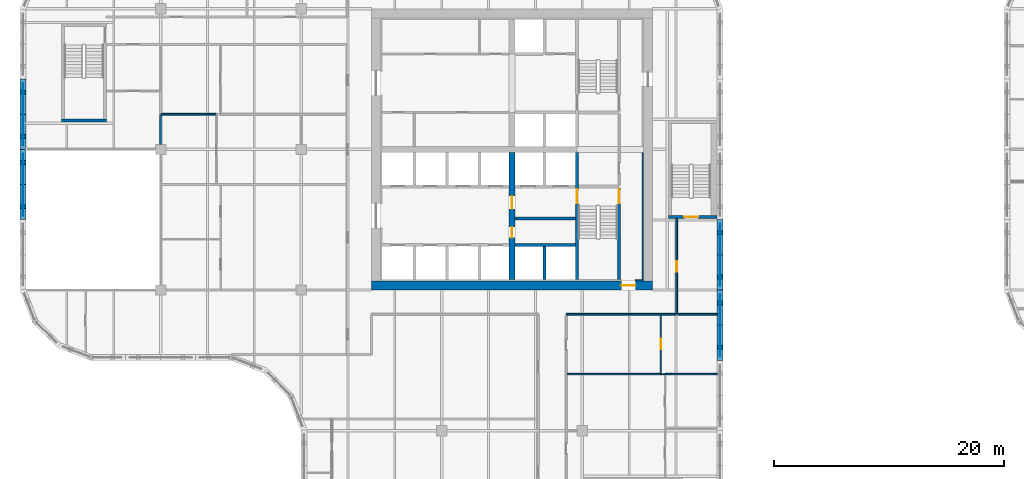
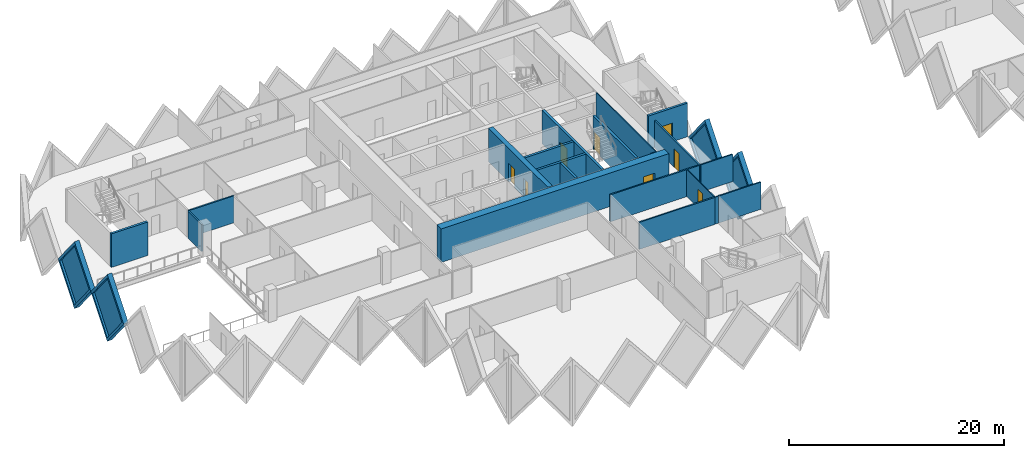
# One storey, part 7 of 19: 24 walls, 8 doors, 4 plates, 12 openings.
"""IFC4 building model written with IfcOpenShell, lengths in metres."""

import ifcopenshell
import ifcopenshell.guid

model = None  # the IFC model being written
_history = None  # IfcOwnerHistory: only IFC2X3 demands one
_inside = {}  # id of a spatial element -> (the spatial element, [elements in it])
_under = {}  # id of a project, library or spatial element -> (it, [spatial elements below it])
_declared = {}  # id of a project -> (the project, [libraries it declares])
_typed = {}  # id of a type object -> (the type object, [elements of that type])
_made_of = {}  # id of a material, layer set ... -> (it, [elements and type objects made of it])


def new_model(schema):
    """Start an empty IFC model of exactly this schema.

    Asked for "IFC4X3", IfcOpenShell would pick the latest addendum, in which some entities
    have other attributes; the version numbers below select the first issue.
    IFC2X3 requires an IfcOwnerHistory on every rooted entity: one is made here for all.
    """
    global model, _history
    if schema == "IFC4X3":
        model = ifcopenshell.file(schema_version=(4, 3, 0, 0))
    else:
        model = ifcopenshell.file(schema=schema)
    _inside.clear()
    _under.clear()
    _declared.clear()
    _typed.clear()
    _made_of.clear()
    _history = None
    if model.schema == "IFC2X3":
        org = make("IfcOrganization", Name="unknown")
        user = make(
            "IfcPersonAndOrganization",
            ThePerson=make("IfcPerson", FamilyName="unknown"),
            TheOrganization=org,
        )
        app = make(
            "IfcApplication",
            ApplicationDeveloper=org,
            Version="unknown",
            ApplicationFullName="unknown",
            ApplicationIdentifier="unknown",
        )
        _history = make(
            "IfcOwnerHistory",
            OwningUser=user,
            OwningApplication=app,
            ChangeAction="ADDED",
            CreationDate=0,
        )
    return model


def make(cls, **values):
    """One entity of the class cls with the attributes given. An attribute that is None is left unset."""
    return model.create_entity(
        cls, **{name: value for name, value in values.items() if value is not None}
    )


def rooted(cls, **values):
    """An entity with a GlobalId (a new one), such as an element, a storey or a relation."""
    return make(cls, GlobalId=ifcopenshell.guid.new(), OwnerHistory=_history, **values)


def si_unit(unit_type, name, prefix=None):
    """IfcSIUnit, for example si_unit("LENGTHUNIT", "METRE", prefix="MILLI")."""
    return make("IfcSIUnit", UnitType=unit_type, Prefix=prefix, Name=name)


def assignment(units):
    """IfcUnitAssignment: the units of a project."""
    return None if units is None else make("IfcUnitAssignment", Units=units)


def point(xyz):
    """IfcCartesianPoint."""
    return None if xyz is None else make("IfcCartesianPoint", Coordinates=xyz)


def direction(xyz):
    """IfcDirection."""
    return None if xyz is None else make("IfcDirection", DirectionRatios=xyz)


def frame(location, z_axis=None, x_axis=None):
    """IfcAxis2Placement3D, a coordinate frame: its origin and axes. An axis left out is left unset."""
    return make(
        "IfcAxis2Placement3D",
        Location=point(location),
        Axis=direction(z_axis),
        RefDirection=direction(x_axis),
    )


def frame_2d(location, x_axis=None):
    """IfcAxis2Placement2D, a coordinate frame in the plane: its origin and x axis."""
    return make(
        "IfcAxis2Placement2D", Location=point(location), RefDirection=direction(x_axis)
    )


def origin():
    """The frame at (0, 0, 0) with its axes left unset."""
    return frame((0.0, 0.0, 0.0))


def place(relative_to, where):
    """IfcLocalPlacement: puts the frame where relative to a parent placement (None: the world)."""
    return make(
        "IfcLocalPlacement", PlacementRelTo=relative_to, RelativePlacement=where
    )


def context(
    kind, dimensions, precision=None, world=None, true_north=None, identifier=None
):
    """IfcGeometricRepresentationContext, for example the 3D "Model" context."""
    return make(
        "IfcGeometricRepresentationContext",
        ContextIdentifier=identifier,
        ContextType=kind,
        CoordinateSpaceDimension=dimensions,
        Precision=precision,
        WorldCoordinateSystem=world,
        TrueNorth=true_north,
    )


def subcontext(parent, identifier, kind, view, scale=None):
    """IfcGeometricRepresentationSubContext, for example "Body" below "Model"."""
    return make(
        "IfcGeometricRepresentationSubContext",
        ContextIdentifier=identifier,
        ContextType=kind,
        ParentContext=parent,
        TargetScale=scale,
        TargetView=view,
    )


def project(units=None, contexts=None):
    """IfcProject with its units and contexts."""
    return rooted(
        "IfcProject",
        Name="project",
        RepresentationContexts=contexts,
        UnitsInContext=assignment(units),
    )


def spatial(cls, under=None, at=None, **own):
    """A site, building, storey or space (cls), placed at a placement, below another one or the project."""
    s = rooted(cls, ObjectPlacement=at, **own)
    if under is not None:
        _under.setdefault(under.id(), (under, []))[1].append(s)
    return s


def polyline(points):
    """IfcPolyline through the points."""
    return make("IfcPolyline", Points=[point(p) for p in points])


def profile(cls, at=None, kind="AREA", **sizes):
    """A parametric profile (cls). Its sizes go by their IFC names, for example OverallWidth=200.0."""
    return make(cls, ProfileType=kind, Position=at, **sizes)


def rectangle(**sizes):
    """IfcRectangleProfileDef."""
    return profile("IfcRectangleProfileDef", **sizes)


def outline(outer, holes=None, kind="AREA"):
    """IfcArbitraryClosedProfileDef: a profile drawn as a closed curve; with holes, ...WithVoids."""
    if holes is None:
        return make("IfcArbitraryClosedProfileDef", ProfileType=kind, OuterCurve=outer)
    return make(
        "IfcArbitraryProfileDefWithVoids",
        ProfileType=kind,
        OuterCurve=outer,
        InnerCurves=holes,
    )


def extrude(swept, where, along, depth):
    """IfcExtrudedAreaSolid: the profile swept, set in the frame where, extruded along a direction by depth."""
    return make(
        "IfcExtrudedAreaSolid",
        SweptArea=swept,
        Position=where,
        ExtrudedDirection=direction(along),
        Depth=depth,
    )


def faces_of(points, faces, orient=None, outer=None):
    """IfcFace entities. A face is a list of loops; a loop is a list of indices into points, from 0.

    orient and outer hold one flag for each loop. By default every Orientation is true, the
    first loop of a face is its IfcFaceOuterBound and the others are IfcFaceBound.
    """
    made = []
    for i, loops in enumerate(faces):
        bounds = []
        for j, loop in enumerate(loops):
            is_outer = j == 0 if outer is None else outer[i][j]
            bounds.append(
                make(
                    "IfcFaceOuterBound" if is_outer else "IfcFaceBound",
                    Bound=make("IfcPolyLoop", Polygon=[points[k] for k in loop]),
                    Orientation=True if orient is None else orient[i][j],
                )
            )
        made.append(make("IfcFace", Bounds=bounds))
    return made


def faceted_brep(points, faces, orient=None, outer=None, voids=None):
    """IfcFacetedBrep: a solid bounded by flat faces; with voids (closed shells), ...WithVoids."""
    shared = [point(p) for p in points]
    hull = make("IfcClosedShell", CfsFaces=faces_of(shared, faces, orient, outer))
    if voids is None:
        return make("IfcFacetedBrep", Outer=hull)
    return make(
        "IfcFacetedBrepWithVoids",
        Outer=hull,
        Voids=[
            make(cls, CfsFaces=faces_of(shared, fs, o, b)) for cls, fs, o, b in voids
        ],
    )


def shape(context_of_items, identifier, shape_type, items):
    """IfcShapeRepresentation: the items that make up one representation, for example the "Body"."""
    return make(
        "IfcShapeRepresentation",
        ContextOfItems=context_of_items,
        RepresentationIdentifier=identifier,
        RepresentationType=shape_type,
        Items=items,
    )


def source(mapping_origin, context_of_items, identifier, shape_type, items):
    """IfcRepresentationMap: a shape defined once, which mapped items show again and again."""
    return make(
        "IfcRepresentationMap",
        MappingOrigin=mapping_origin,
        MappedRepresentation=shape(context_of_items, identifier, shape_type, items),
    )


def transform(
    local_origin,
    x_axis=None,
    y_axis=None,
    z_axis=None,
    scale=None,
    scale2=None,
    scale3=None,
    uniform=True,
):
    """IfcCartesianTransformationOperator3D, or its non-uniform kind. x_axis, y_axis, z_axis: its Axis1, 2, 3."""
    if uniform:
        return make(
            "IfcCartesianTransformationOperator3D",
            Axis1=direction(x_axis),
            Axis2=direction(y_axis),
            LocalOrigin=point(local_origin),
            Scale=scale,
            Axis3=direction(z_axis),
        )
    return make(
        "IfcCartesianTransformationOperator3DnonUniform",
        Axis1=direction(x_axis),
        Axis2=direction(y_axis),
        LocalOrigin=point(local_origin),
        Scale=scale,
        Axis3=direction(z_axis),
        Scale2=scale2,
        Scale3=scale3,
    )


def mapped(mapping_source, mapping_target):
    """IfcMappedItem: shows the shape of a source again, moved by a transform."""
    return make(
        "IfcMappedItem", MappingSource=mapping_source, MappingTarget=mapping_target
    )


def material(Name=None, Category=None):
    """IfcMaterial."""
    return make("IfcMaterial", Name=Name, Category=Category)


def layer(
    of_material, thickness, ventilated=None, Name=None, Category=None, Priority=None
):
    """IfcMaterialLayer: one layer of a wall or slab, of a material (None: an air gap)."""
    return make(
        "IfcMaterialLayer",
        Material=of_material,
        LayerThickness=thickness,
        IsVentilated=ventilated,
        Name=Name,
        Category=Category,
        Priority=Priority,
    )


def layer_set(layers, Name=None):
    """IfcMaterialLayerSet."""
    return make("IfcMaterialLayerSet", MaterialLayers=layers, LayerSetName=Name)


def made_of(thing, what):
    """Note that an element or type object is made of a material, layer set ...; save() writes the relation."""
    if what is not None:
        _made_of.setdefault(what.id(), (what, []))[1].append(thing)
    return thing


def type_object(cls, material=None, **own):
    """A type object (cls), such as IfcWallType, which elements share."""
    return made_of(rooted(cls, **own), material)


def element(
    cls,
    number,
    at=None,
    inside=None,
    cuts=None,
    type_object=None,
    material=None,
    context=None,
    identifier="Body",
    shape_type=None,
    held_by="IfcProductDefinitionShape",
    body=None,
    shapes=None,
    **own,
):
    """One element of the class cls, such as IfcWall. Its Tag is "e" and its number.

    at: its placement. inside: the storey or other place that contains it. cuts: it is an
    opening in that element (IfcRelVoidsElement). A single representation is given by context,
    identifier, shape_type and body (its items); several are given by shapes. held_by: the class
    of the entity that holds the representations. save() writes the other relations.
    """
    e = rooted(cls, Tag="e%d" % number, ObjectPlacement=at, **own)
    if body is not None:
        shapes = [shape(context, identifier, shape_type, body)]
    if shapes is not None:
        e.Representation = make(held_by, Representations=shapes)
    if inside is not None:
        _inside.setdefault(inside.id(), (inside, []))[1].append(e)
    if cuts is not None:
        rooted(
            "IfcRelVoidsElement", RelatingBuildingElement=cuts, RelatedOpeningElement=e
        )
    if type_object is not None:
        _typed.setdefault(type_object.id(), (type_object, []))[1].append(e)
    return made_of(e, material)


def fill(opening, filler):
    """IfcRelFillsElement: the door or window that sits in an opening."""
    return rooted(
        "IfcRelFillsElement",
        RelatingOpeningElement=opening,
        RelatedBuildingElement=filler,
    )


def aggregate(whole, parts):
    """IfcRelAggregates: a whole, such as a stair, and the parts it consists of."""
    return rooted("IfcRelAggregates", RelatingObject=whole, RelatedObjects=parts)


def save(model, path):
    """Write the relations noted so far, then the file.

    IfcRelAggregates (storeys below a building ...), IfcRelContainedInSpatialStructure (elements
    in a storey), IfcRelDefinesByType, IfcRelAssociatesMaterial and IfcRelDeclares: one each for
    every whole, place, type object, material and project.
    """
    for whole, parts in _under.values():
        aggregate(whole, parts)
    for where, things in _inside.values():
        rooted(
            "IfcRelContainedInSpatialStructure",
            RelatedElements=things,
            RelatingStructure=where,
        )
    for kind, things in _typed.values():
        rooted("IfcRelDefinesByType", RelatedObjects=things, RelatingType=kind)
    for what, things in _made_of.values():
        rooted("IfcRelAssociatesMaterial", RelatedObjects=things, RelatingMaterial=what)
    for by, libraries in _declared.values():
        rooted("IfcRelDeclares", RelatingContext=by, RelatedDefinitions=libraries)
    model.write(path)


model = new_model("IFC4")

# Units and contexts
model_context = context("Model", 3, precision=1e-05, world=origin(), true_north=direction((0.0, 1.0)))
body_context = subcontext(model_context, "Body", "Model", "MODEL_VIEW")
ifc_project = project(units=[si_unit("LENGTHUNIT", "METRE"), si_unit("AREAUNIT", "SQUARE_METRE"), si_unit("VOLUMEUNIT", "CUBIC_METRE"), si_unit("PLANEANGLEUNIT", "RADIAN"), si_unit("MASSUNIT", "GRAM", prefix="KILO")], contexts=[model_context])

# Site, building, storey
site_placement = place(None, origin())
site = spatial("IfcSite", under=ifc_project, at=site_placement, CompositionType="ELEMENT")
building_placement = place(site_placement, origin())
building = spatial("IfcBuilding", under=site, at=building_placement, Name="Tessera Gate Towers", CompositionType="ELEMENT")
storey_placement = place(building_placement, frame((0.0, 0.0, 76.199951171875)))
storey = spatial("IfcBuildingStorey", under=building, at=storey_placement, Name="L18", CompositionType="ELEMENT", Elevation=76.199951171875)

# Wall, opening, door
ifc_material_1 = material(Name="Concrete C40/50", Category="concrete")
ifc_layer_1 = layer(ifc_material_1, 0.25)
ifc_layer_set_1 = layer_set([ifc_layer_1], Name="CORE ENCLOSURE WALL 250")
wall_type_1 = type_object("IfcWallType", Name="CORE ENCLOSURE WALL 250", PredefinedType="SOLIDWALL", material=ifc_layer_set_1)
wall_1_placement = place(storey_placement, frame((48.35009765625, 36.35009765625, 0.0), z_axis=(0.0, 0.0, 1.0), x_axis=(0.0, -1.0, 0.0)))
wall_1 = element("IfcWall", 1, at=wall_1_placement, inside=storey, type_object=wall_type_1, Name="L18 shaft and stair enclosure wall", PredefinedType="SOLIDWALL", context=body_context, shape_type="SweptSolid", body=[
    extrude(rectangle(XDim=11.050048828125, YDim=0.25, at=frame_2d((5.52490234375, 0.0))), origin(), (0.0, 0.0, 1.0), 3.800048828125),
])
shared_shape_1 = source(origin(), body_context, "Body", "SweptSolid", [
    extrude(rectangle(XDim=1.199951171875, YDim=2.10009765625, at=frame_2d((0.60009765625, 1.050048828125))), frame((0.0, 0.135009765625, 0.0), z_axis=(0.0, -1.0, 0.0), x_axis=(1.0, 0.0, 0.0)), (0.0, 0.0, 1.0), 0.27001953125),
])
opening_1_placement = place(wall_1_placement, frame((3.22509765625, 0.0, 0.0)))
opening_1 = element("IfcOpeningElement", 2, at=opening_1_placement, cuts=wall_1, Name="Opening SD-ST1-1", PredefinedType="OPENING", context=body_context, shape_type="MappedRepresentation", body=[
    mapped(shared_shape_1, transform((0.0, 0.0, 0.0), scale=1.0)),
])
ifc_material_2 = material(Name="Hollow steel fire door", Category="steel")
door_type_1 = type_object("IfcDoorType", Name="CORE DOOR SD 1200x2100", OperationType="NOTDEFINED", PredefinedType="DOOR", material=ifc_material_2)
shared_shape_2 = source(origin(), body_context, "Body", "SweptSolid", [
    extrude(rectangle(XDim=1.199951171875, YDim=2.10009765625, at=frame_2d((0.60009765625, 1.050048828125))), frame((0.0, 0.02490234375, 0.0), z_axis=(0.0, -1.0, 0.0), x_axis=(1.0, 0.0, 0.0)), (0.0, 0.0, 1.0), 0.050048828125),
])
door_1_placement = place(opening_1_placement, origin())
door_1 = element("IfcDoor", 3, at=door_1_placement, inside=storey, type_object=door_type_1, Name="Stair door", OperationType="SINGLE_SWING_LEFT", OverallHeight=2.10009765625, OverallWidth=1.199951171875, PredefinedType="DOOR", context=body_context, shape_type="MappedRepresentation", body=[
    mapped(shared_shape_2, transform((0.0, 0.0, 0.0), scale=1.0)),
])
fill(opening_1, door_1)

# Wall
wall_2_placement = place(storey_placement, frame((42.949951171875, 28.300048828125, 0.0), z_axis=(0.0, 0.0, 1.0), x_axis=(1.0, 0.0, 0.0)))
element("IfcWall", 4, at=wall_2_placement, inside=storey, type_object=wall_type_1, Name="L18 shaft and stair enclosure wall", PredefinedType="SOLIDWALL", context=body_context, shape_type="SweptSolid", body=[
    extrude(rectangle(XDim=5.275146484375, YDim=0.25, at=frame_2d((2.6376953125, 0.0))), origin(), (0.0, 0.0, 1.0), 3.800048828125),
])

# Wall, opening, door
wall_3_placement = place(storey_placement, frame((52.0, 25.300048828125, 0.0), z_axis=(0.0, 0.0, 1.0), x_axis=(0.0, 1.0, 0.0)))
wall_3 = element("IfcWall", 5, at=wall_3_placement, inside=storey, type_object=wall_type_1, Name="L18 shaft and stair enclosure wall", PredefinedType="SOLIDWALL", context=body_context, shape_type="SweptSolid", body=[
    extrude(rectangle(XDim=7.974853515625, YDim=0.25, at=frame_2d((3.9873046875, 0.0))), origin(), (0.0, 0.0, 1.0), 3.800048828125),
])
opening_2_placement = place(wall_3_placement, frame((6.625, 0.0, 0.0)))
opening_2 = element("IfcOpeningElement", 6, at=opening_2_placement, cuts=wall_3, Name="Opening SD-ST1-2", PredefinedType="OPENING", context=body_context, shape_type="MappedRepresentation", body=[
    mapped(shared_shape_1, transform((0.0, 0.0, 0.0), scale=1.0)),
])
door_2_placement = place(opening_2_placement, origin())
door_2 = element("IfcDoor", 7, at=door_2_placement, inside=storey, type_object=door_type_1, Name="Stair door", OperationType="SINGLE_SWING_RIGHT", OverallHeight=2.10009765625, OverallWidth=1.199951171875, PredefinedType="DOOR", context=body_context, shape_type="MappedRepresentation", body=[
    mapped(shared_shape_2, transform((0.0, 0.0, 0.0), scale=1.0)),
])
fill(opening_2, door_2)

# Walls
wall_4_placement = place(storey_placement, frame((42.949951171875, 30.60009765625, 0.0), z_axis=(0.0, 0.0, 1.0), x_axis=(1.0, 0.0, 0.0)))
element("IfcWall", 8, at=wall_4_placement, inside=storey, type_object=wall_type_1, Name="L18 shaft and stair enclosure wall", PredefinedType="SOLIDWALL", context=body_context, shape_type="SweptSolid", body=[
    extrude(rectangle(XDim=5.275146484375, YDim=0.25, at=frame_2d((2.6376953125, 0.0))), origin(), (0.0, 0.0, 1.0), 3.800048828125),
])
wall_5_placement = place(storey_placement, frame((45.52490234375, 25.300048828125, 0.0), z_axis=(0.0, 0.0, 1.0), x_axis=(0.0, 1.0, 0.0)))
element("IfcWall", 9, at=wall_5_placement, inside=storey, type_object=wall_type_1, Name="L18 shaft and stair enclosure wall", PredefinedType="SOLIDWALL", context=body_context, shape_type="SweptSolid", body=[
    extrude(rectangle(XDim=2.875, YDim=0.25, at=frame_2d((1.4375, 0.0))), origin(), (0.0, 0.0, 1.0), 3.800048828125),
])
wall_6_placement = place(storey_placement, frame((7.5, 39.125, 0.0), z_axis=(0.0, 0.0, 1.0), x_axis=(-1.0, 0.0, 0.0)))
element("IfcWall", 10, at=wall_6_placement, inside=storey, type_object=wall_type_1, Name="L18 ST3 enclosure wall", PredefinedType="SOLIDWALL", context=body_context, shape_type="SweptSolid", body=[
    extrude(rectangle(XDim=3.89990234375, YDim=0.25, at=frame_2d((1.949951171875, 0.0))), origin(), (0.0, 0.0, 1.0), 3.800048828125),
])

# Wall, opening, door
wall_7_placement = place(storey_placement, frame((60.5, 30.72509765625, 0.0), z_axis=(0.0, 0.0, 1.0), x_axis=(-1.0, 0.0, 0.0)))
wall_7 = element("IfcWall", 11, at=wall_7_placement, inside=storey, type_object=wall_type_1, Name="L18 ST5 enclosure wall", PredefinedType="SOLIDWALL", context=body_context, shape_type="SweptSolid", body=[
    extrude(rectangle(XDim=4.199951171875, YDim=0.25, at=frame_2d((2.10009765625, 0.0))), origin(), (0.0, 0.0, 1.0), 3.800048828125),
])
opening_3_placement = place(wall_7_placement, frame((1.64990234375, 0.0, 0.0)))
opening_3 = element("IfcOpeningElement", 12, at=opening_3_placement, cuts=wall_7, Name="Opening SD-ST5-1", PredefinedType="OPENING", context=body_context, shape_type="MappedRepresentation", body=[
    mapped(shared_shape_1, transform((0.0, 0.0, 0.0), scale=1.0)),
])
door_3_placement = place(opening_3_placement, origin())
door_3 = element("IfcDoor", 13, at=door_3_placement, inside=storey, type_object=door_type_1, Name="Stair door", OperationType="SINGLE_SWING_RIGHT", OverallHeight=2.10009765625, OverallWidth=1.199951171875, PredefinedType="DOOR", context=body_context, shape_type="MappedRepresentation", body=[
    mapped(shared_shape_2, transform((0.0, 0.0, 0.0), scale=1.0)),
])
fill(opening_3, door_3)

ifc_material_3 = material(Name="Concrete C60/75", Category="concrete")
ifc_layer_2 = layer(ifc_material_3, 0.800048828125)
ifc_layer_set_2 = layer_set([ifc_layer_2], Name="CORE SHEAR WALL 800 C60/75")
wall_type_2 = type_object("IfcWallType", Name="CORE SHEAR WALL 800 C60/75", PredefinedType="SHEAR", material=ifc_layer_set_2)
wall_8_placement = place(storey_placement, frame((54.89990234375, 24.800048828125, 0.0), z_axis=(0.0, 0.0, 1.0), x_axis=(-1.0, 0.0, 0.0)))
wall_8 = element("IfcWall", 14, at=wall_8_placement, inside=storey, type_object=wall_type_2, Name="Core wall S L18", PredefinedType="SHEAR", context=body_context, shape_type="SweptSolid", body=[
    extrude(rectangle(XDim=24.39990234375, YDim=0.800048828125, at=frame_2d((12.199951171875, 0.0))), origin(), (0.0, 0.0, 1.0), 3.800048828125),
])
shared_shape_3 = source(origin(), body_context, "Body", "SweptSolid", [
    extrude(rectangle(XDim=1.199951171875, YDim=2.10009765625, at=frame_2d((0.60009765625, 1.050048828125))), frame((0.0, 0.409912109375, 0.0), z_axis=(0.0, -1.0, 0.0), x_axis=(1.0, 0.0, 0.0)), (0.0, 0.0, 1.0), 0.820068359375),
])
opening_4_placement = place(wall_8_placement, frame((1.5, 0.0, 0.0)))
opening_4 = element("IfcOpeningElement", 15, at=opening_4_placement, cuts=wall_8, Name="Opening ED-T1-13-01", PredefinedType="OPENING", context=body_context, shape_type="MappedRepresentation", body=[
    mapped(shared_shape_3, transform((0.0, 0.0, 0.0), scale=1.0)),
])
ifc_material_4 = material(Name="Hollow steel fire door", Category="steel")
door_type_2 = type_object("IfcDoorType", Name="CORE DOOR ED 1200x2100", OperationType="NOTDEFINED", PredefinedType="DOOR", material=ifc_material_4)
door_4_placement = place(opening_4_placement, origin())
door_4 = element("IfcDoor", 16, at=door_4_placement, inside=storey, type_object=door_type_2, Name="Core exit door", OperationType="SINGLE_SWING_LEFT", OverallHeight=2.10009765625, OverallWidth=1.199951171875, PredefinedType="DOOR", context=body_context, shape_type="MappedRepresentation", body=[
    mapped(shared_shape_2, transform((0.0, 0.0, 0.0), scale=1.0)),
])
fill(opening_4, door_4)

# Wall, openings, doors
ifc_material_5 = material(Name="Concrete C60/75", Category="concrete")
ifc_layer_3 = layer(ifc_material_5, 0.5)
ifc_layer_set_3 = layer_set([ifc_layer_3], Name="CORE SPINE WALL 500 C60/75")
wall_type_3 = type_object("IfcWallType", Name="CORE SPINE WALL 500 C60/75", PredefinedType="SHEAR", material=ifc_layer_set_3)
wall_9_placement = place(storey_placement, frame((42.699951171875, 36.35009765625, 0.0), z_axis=(0.0, 0.0, 1.0), x_axis=(0.0, -1.0, 0.0)))
wall_9 = element("IfcWall", 17, at=wall_9_placement, inside=storey, type_object=wall_type_3, Name="Core wall spine L18", PredefinedType="SHEAR", context=body_context, shape_type="SweptSolid", body=[
    extrude(rectangle(XDim=11.050048828125, YDim=0.5, at=frame_2d((5.52490234375, 0.0))), origin(), (0.0, 0.0, 1.0), 3.800048828125),
])
shared_shape_4 = source(origin(), body_context, "Body", "SweptSolid", [
    extrude(rectangle(XDim=0.89990234375, YDim=2.10009765625, at=frame_2d((0.449951171875, 1.050048828125))), frame((0.0, 0.260009765625, 0.0), z_axis=(0.0, -1.0, 0.0), x_axis=(1.0, 0.0, 0.0)), (0.0, 0.0, 1.0), 0.52001953125),
])
opening_5_placement = place(wall_9_placement, frame((6.5, 0.0, 0.0)))
opening_5 = element("IfcOpeningElement", 18, at=opening_5_placement, cuts=wall_9, Name="Opening RD-T1-13-05", PredefinedType="OPENING", context=body_context, shape_type="MappedRepresentation", body=[
    mapped(shared_shape_4, transform((0.0, 0.0, 0.0), scale=1.0)),
])
shared_shape_5 = source(origin(), body_context, "Body", "SweptSolid", [
    extrude(rectangle(XDim=1.10009765625, YDim=2.10009765625, at=frame_2d((0.550048828125, 1.050048828125))), frame((0.0, 0.260009765625, 0.0), z_axis=(0.0, -1.0, 0.0), x_axis=(1.0, 0.0, 0.0)), (0.0, 0.0, 1.0), 0.52001953125),
])
opening_6_placement = place(wall_9_placement, frame((3.800048828125, 0.0, 0.0)))
opening_6 = element("IfcOpeningElement", 19, at=opening_6_placement, cuts=wall_9, Name="Opening FD-T1-13-06", PredefinedType="OPENING", context=body_context, shape_type="MappedRepresentation", body=[
    mapped(shared_shape_5, transform((0.0, 0.0, 0.0), scale=1.0)),
])
ifc_material_6 = material(Name="Hollow steel fire door", Category="steel")
door_type_3 = type_object("IfcDoorType", Name="CORE DOOR RD 900x2100", OperationType="NOTDEFINED", PredefinedType="DOOR", material=ifc_material_6)
shared_shape_6 = source(origin(), body_context, "Body", "SweptSolid", [
    extrude(rectangle(XDim=0.89990234375, YDim=2.10009765625, at=frame_2d((0.449951171875, 1.050048828125))), frame((0.0, 0.02490234375, 0.0), z_axis=(0.0, -1.0, 0.0), x_axis=(1.0, 0.0, 0.0)), (0.0, 0.0, 1.0), 0.050048828125),
])
door_5_placement = place(opening_5_placement, origin())
door_5 = element("IfcDoor", 20, at=door_5_placement, inside=storey, type_object=door_type_3, Name="Core room door", OperationType="SINGLE_SWING_RIGHT", OverallHeight=2.10009765625, OverallWidth=0.89990234375, PredefinedType="DOOR", context=body_context, shape_type="MappedRepresentation", body=[
    mapped(shared_shape_6, transform((0.0, 0.0, 0.0), scale=1.0)),
])
fill(opening_5, door_5)
ifc_material_7 = material(Name="Hollow steel fire door", Category="steel")
door_type_4 = type_object("IfcDoorType", Name="CORE DOOR FD 1100x2100", OperationType="NOTDEFINED", PredefinedType="DOOR", material=ifc_material_7)
shared_shape_7 = source(origin(), body_context, "Body", "SweptSolid", [
    extrude(rectangle(XDim=1.10009765625, YDim=2.10009765625, at=frame_2d((0.550048828125, 1.050048828125))), frame((0.0, 0.02490234375, 0.0), z_axis=(0.0, -1.0, 0.0), x_axis=(1.0, 0.0, 0.0)), (0.0, 0.0, 1.0), 0.050048828125),
])
door_6_placement = place(opening_6_placement, origin())
door_6 = element("IfcDoor", 21, at=door_6_placement, inside=storey, type_object=door_type_4, Name="Fire-fighting lobby door", OperationType="SINGLE_SWING_LEFT", OverallHeight=2.10009765625, OverallWidth=1.10009765625, PredefinedType="DOOR", context=body_context, shape_type="MappedRepresentation", body=[
    mapped(shared_shape_7, transform((0.0, 0.0, 0.0), scale=1.0)),
])
fill(opening_6, door_6)

# Walls
ifc_material_8 = material(Name="Concrete C60/75", Category="concrete")
ifc_layer_4 = layer(ifc_material_8, 0.10009765625)
ifc_layer_set_4 = layer_set([ifc_layer_4], Name="CORE WALL THICKENING 100")
wall_type_4 = type_object("IfcWallType", Name="CORE WALL THICKENING 100", PredefinedType="SOLIDWALL", material=ifc_layer_set_4)
wall_10_placement = place(storey_placement, frame((53.39990234375, 25.25, 0.0), z_axis=(0.0, 0.0, 1.0), x_axis=(1.0, 0.0, 0.0)))
element("IfcWall", 22, at=wall_10_placement, inside=storey, type_object=wall_type_4, Name="Core wall thickening S L18", PredefinedType="SOLIDWALL", context=body_context, shape_type="SweptSolid", body=[
    extrude(rectangle(XDim=0.7001953125, YDim=0.10009765625, at=frame_2d((0.35009765625, 0.0))), origin(), (0.0, 0.0, 1.0), 3.800048828125),
])
wall_11_placement = place(storey_placement, frame((54.050048828125, 25.300048828125, 0.0), z_axis=(0.0, 0.0, 1.0), x_axis=(0.0, 1.0, 0.0)))
element("IfcWall", 23, at=wall_11_placement, inside=storey, type_object=wall_type_4, Name="Core wall thickening E L18", PredefinedType="SOLIDWALL", context=body_context, shape_type="SweptSolid", body=[
    extrude(rectangle(XDim=11.02001953125, YDim=0.10009765625, at=frame_2d((5.510009765625, 0.0))), origin(), (0.0, 0.0, 1.0), 3.800048828125),
])
ifc_material_9 = material(Name="Gypsum board on steel studs, mineral wool", Category="steel")
ifc_layer_5 = layer(ifc_material_9, 0.14990234375)
ifc_layer_set_5 = layer_set([ifc_layer_5], Name="CORRIDOR WALL 150")
wall_type_5 = type_object("IfcWallType", Name="CORRIDOR WALL 150", PredefinedType="PARTITIONING", material=ifc_layer_set_5)
wall_12_placement = place(storey_placement, frame((47.39990234375, 22.300048828125, 0.0), z_axis=(0.0, 0.0, 1.0), x_axis=(1.0, 0.0, 0.0)))
element("IfcWall", 24, at=wall_12_placement, inside=storey, type_object=wall_type_5, Name="T1-L18-PW-023", PredefinedType="PARTITIONING", context=body_context, shape_type="SweptSolid", body=[
    extrude(rectangle(XDim=9.524169921875, YDim=0.14990234375, at=frame_2d((4.76220703125, 0.0))), origin(), (0.0, 0.0, 1.0), 3.067138671875),
])

# Wall, opening, door
wall_13_placement = place(storey_placement, frame((57.0, 30.60009765625, 0.0), z_axis=(0.0, 0.0, 1.0), x_axis=(0.0, -1.0, 0.0)))
wall_13 = element("IfcWall", 25, at=wall_13_placement, inside=storey, type_object=wall_type_5, Name="T1-L18-PW-024", PredefinedType="PARTITIONING", context=body_context, shape_type="SweptSolid", body=[
    extrude(rectangle(XDim=8.300048828125, YDim=0.14990234375, at=frame_2d((4.14990234375, 0.0))), origin(), (0.0, 0.0, 1.0), 3.067138671875),
])
shared_shape_8 = source(origin(), body_context, "Body", "SweptSolid", [
    extrude(rectangle(XDim=0.89990234375, YDim=2.10009765625, at=frame_2d((0.449951171875, 1.050048828125))), frame((0.0, 0.0849609375, 0.0), z_axis=(0.0, -1.0, 0.0), x_axis=(1.0, 0.0, 0.0)), (0.0, 0.0, 1.0), 0.169921875),
])
opening_7_placement = place(wall_13_placement, frame((3.699951171875, 0.0, 0.0)))
opening_7 = element("IfcOpeningElement", 26, at=opening_7_placement, cuts=wall_13, Name="Opening D890FD60-A06-05", PredefinedType="OPENING", context=body_context, shape_type="MappedRepresentation", body=[
    mapped(shared_shape_8, transform((0.0, 0.0, 0.0), scale=1.0)),
])
ifc_material_10 = material(Name="Timber door leaf in steel frame", Category="steel")
door_type_5 = type_object("IfcDoorType", Name="CORRIDOR DOOR 900 FD60", OperationType="NOTDEFINED", PredefinedType="DOOR", material=ifc_material_10)
door_7_placement = place(opening_7_placement, origin())
door_7 = element("IfcDoor", 27, at=door_7_placement, inside=storey, type_object=door_type_5, Name="T1-L18-PD-019", OperationType="SINGLE_SWING_RIGHT", OverallHeight=2.10009765625, OverallWidth=0.89990234375, PredefinedType="DOOR", context=body_context, shape_type="MappedRepresentation", body=[
    mapped(shared_shape_6, transform((0.0, 0.0, 0.0), scale=1.0)),
])
fill(opening_7, door_7)

# Wall
ifc_material_11 = material(Name="Glass", Category="glass")
ifc_layer_6 = layer(ifc_material_11, 0.10009765625)
ifc_layer_set_6 = layer_set([ifc_layer_6], Name="GLAZED PARTITION 100")
wall_type_6 = type_object("IfcWallType", Name="GLAZED PARTITION 100", PredefinedType="PARTITIONING", material=ifc_layer_set_6)
wall_14_placement = place(storey_placement, frame((55.615966796875, 17.10009765625, 0.0), z_axis=(0.0, 0.0, 1.0), x_axis=(1.0, 0.0, 0.0)))
element("IfcWall", 28, at=wall_14_placement, inside=storey, type_object=wall_type_6, Name="T1-L18-PW-014", PredefinedType="PARTITIONING", context=body_context, shape_type="SweptSolid", body=[
    extrude(rectangle(XDim=0.373046875, YDim=0.10009765625, at=frame_2d((0.1865234375, 0.0))), origin(), (0.0, 0.0, 1.0), 3.067138671875),
])

# Wall, opening, door
wall_15_placement = place(storey_placement, frame((55.614990234375, 22.22412109375, 0.0), z_axis=(0.0, 0.0, 1.0), x_axis=(0.0, -1.0, 0.0)))
wall_15 = element("IfcWall", 29, at=wall_15_placement, inside=storey, type_object=wall_type_6, Name="T1-L18-PW-016", PredefinedType="PARTITIONING", context=body_context, shape_type="SweptSolid", body=[
    extrude(rectangle(XDim=5.048095703125, YDim=0.10009765625, at=frame_2d((2.52392578125, 0.0))), origin(), (0.0, 0.0, 1.0), 3.067138671875),
])
shared_shape_9 = source(origin(), body_context, "Body", "SweptSolid", [
    extrude(rectangle(XDim=0.89990234375, YDim=2.10009765625, at=frame_2d((0.449951171875, 1.050048828125))), frame((0.0, 0.06005859375, 0.0), z_axis=(0.0, -1.0, 0.0), x_axis=(1.0, 0.0, 0.0)), (0.0, 0.0, 1.0), 0.1201171875),
])
opening_8_placement = place(wall_15_placement, frame((2.048095703125, 0.0, 0.0)))
opening_8 = element("IfcOpeningElement", 30, at=opening_8_placement, cuts=wall_15, Name="Opening D690-A06-04", PredefinedType="OPENING", context=body_context, shape_type="MappedRepresentation", body=[
    mapped(shared_shape_9, transform((0.0, 0.0, 0.0), scale=1.0)),
])
ifc_material_12 = material(Name="Glass in aluminium frame", Category="aluminium")
door_type_6 = type_object("IfcDoorType", Name="GLAZED DOOR 900 NOT RATED", OperationType="NOTDEFINED", PredefinedType="DOOR", material=ifc_material_12)
door_8_placement = place(opening_8_placement, origin())
door_8 = element("IfcDoor", 31, at=door_8_placement, inside=storey, type_object=door_type_6, Name="T1-L18-PD-011", OperationType="SINGLE_SWING_RIGHT", OverallHeight=2.10009765625, OverallWidth=0.89990234375, PredefinedType="DOOR", context=body_context, shape_type="MappedRepresentation", body=[
    mapped(shared_shape_6, transform((0.0, 0.0, 0.0), scale=1.0)),
])
fill(opening_8, door_8)

# Walls
ifc_material_13 = material(Name="Gypsum board on steel studs, mineral wool", Category="steel")
ifc_layer_7 = layer(ifc_material_13, 0.14990234375)
ifc_layer_set_7 = layer_set([ifc_layer_7], Name="TENANCY WALL 150")
wall_type_7 = type_object("IfcWallType", Name="TENANCY WALL 150", PredefinedType="PARTITIONING", material=ifc_layer_set_7)
wall_16_placement = place(storey_placement, frame((47.47607421875, 17.10009765625, 0.0), z_axis=(0.0, 0.0, 1.0), x_axis=(1.0, 0.0, 0.0)))
element("IfcWall", 32, at=wall_16_placement, inside=storey, type_object=wall_type_7, Name="T1-L18-PW-013", PredefinedType="PARTITIONING", context=body_context, shape_type="SweptSolid", body=[
    extrude(rectangle(XDim=8.138916015625, YDim=0.14990234375, at=frame_2d((4.0693359375, 0.0))), origin(), (0.0, 0.0, 1.0), 3.067138671875),
])
wall_17_placement = place(storey_placement, frame((55.989990234375, 17.10009765625, 0.0), z_axis=(0.0, 0.0, 1.0), x_axis=(1.0, 0.0, 0.0)))
element("IfcWall", 33, at=wall_17_placement, inside=storey, type_object=wall_type_7, Name="T1-L18-PW-015", PredefinedType="PARTITIONING", context=body_context, shape_type="SweptSolid", body=[
    extrude(rectangle(XDim=4.510009765625, YDim=0.14990234375, at=frame_2d((2.2548828125, 0.0))), origin(), (0.0, 0.0, 1.0), 3.067138671875),
])
wall_18_placement = place(storey_placement, frame((57.075927734375, 22.300048828125, 0.0), z_axis=(0.0, 0.0, 1.0), x_axis=(1.0, 0.0, 0.0)))
element("IfcWall", 34, at=wall_18_placement, inside=storey, type_object=wall_type_7, Name="T1-L18-PW-025", PredefinedType="PARTITIONING", context=body_context, shape_type="SweptSolid", body=[
    extrude(rectangle(XDim=3.424072265625, YDim=0.14990234375, at=frame_2d((1.7119140625, 0.0))), origin(), (0.0, 0.0, 1.0), 3.067138671875),
])
wall_19_placement = place(storey_placement, frame((12.199951171875, 37.051025390625, 0.0), z_axis=(0.0, 0.0, 1.0), x_axis=(0.0, 1.0, 0.0)))
element("IfcWall", 35, at=wall_19_placement, inside=storey, type_object=wall_type_7, Name="T1-L18-PW-033", PredefinedType="PARTITIONING", context=body_context, shape_type="SweptSolid", body=[
    extrude(rectangle(XDim=2.52294921875, YDim=0.14990234375, at=frame_2d((1.261474609375, 0.0))), origin(), (0.0, 0.0, 1.0), 3.067138671875),
])
wall_20_placement = place(storey_placement, frame((12.199951171875, 39.64990234375, 0.0), z_axis=(0.0, 0.0, 1.0), x_axis=(1.0, 0.0, 0.0)))
element("IfcWall", 36, at=wall_20_placement, inside=storey, type_object=wall_type_7, Name="T1-L18-PW-035", PredefinedType="PARTITIONING", context=body_context, shape_type="SweptSolid", body=[
    extrude(rectangle(XDim=4.85009765625, YDim=0.14990234375, at=frame_2d((2.425048828125, 0.0))), origin(), (0.0, 0.0, 1.0), 3.067138671875),
])

# Wall, opening, plate
ifc_material_14 = material(Name="Precast concrete C60/75 white", Category="concrete")
ifc_layer_8 = layer(ifc_material_14, 0.5)
ifc_layer_set_8 = layer_set([ifc_layer_8], Name="TS1 tessera")
wall_type_8 = type_object("IfcWallType", Name="TS1 tessera", PredefinedType="SOLIDWALL", material=ifc_layer_set_8)
shared_shape_10 = source(origin(), body_context, "Body", "Brep", [
    faceted_brep([(3.050048828125, -0.25, 0.0), (6.099853515625, -0.25, 3.7998046875), (6.099853515625, -0.25, 3.80029296875), (3.050048828125, -0.25, 7.60009765625), (0.0, -0.25, 3.800048828125), (0.0, 0.25, 3.800048828125), (3.050048828125, 0.25, 7.60009765625), (6.099853515625, 0.25, 3.80029296875), (6.099853515625, 0.25, 3.7998046875), (3.050048828125, 0.25, 0.0)], [[[0, 1, 2, 3, 4]], [[5, 6, 7, 8, 9]], [[9, 8, 1, 0]], [[7, 6, 3, 2]], [[6, 5, 4, 3]], [[5, 9, 0, 4]], [[1, 8, 7, 2]]]),
])
wall_21_placement = place(storey_placement, frame((60.75, 18.300048828125, -3.800048828125), z_axis=(0.0, 0.0, 1.0), x_axis=(0.0, 1.0, 0.0)))
wall_21 = element("IfcWall", 37, at=wall_21_placement, inside=storey, type_object=wall_type_8, Name="Precast tessera T1 TS1-0258", PredefinedType="SOLIDWALL", context=body_context, shape_type="MappedRepresentation", body=[
    mapped(shared_shape_10, transform((0.0, 0.0, 0.0), scale=1.0)),
])
shared_shape_11 = source(origin(), body_context, "Body", "SweptSolid", [
    extrude(outline(polyline([(3.050048828125, 0.3994140625), (5.779541015625, 3.800048828125), (3.050048828125, 7.20068359375), (0.320556640625, 3.800048828125), (3.050048828125, 0.3994140625)])), frame((0.0, 0.260009765625, 0.0), z_axis=(0.0, -1.0, 0.0), x_axis=(1.0, 0.0, 0.0)), (0.0, 0.0, 1.0), 0.52001953125),
])
opening_9_placement = place(wall_21_placement, origin())
opening_9 = element("IfcOpeningElement", 38, at=opening_9_placement, cuts=wall_21, Name="Opening T1-PL2-0528", PredefinedType="OPENING", context=body_context, shape_type="MappedRepresentation", body=[
    mapped(shared_shape_11, transform((0.0, 0.0, 0.0), scale=1.0)),
])
ifc_material_15 = material(Name="Low-e laminated glass", Category="glass")
ifc_layer_9 = layer(ifc_material_15, 0.06005859375)
ifc_layer_set_9 = layer_set([ifc_layer_9], Name="PL2 rhombic pane")
plate_type = type_object("IfcPlateType", Name="PL2 rhombic pane", PredefinedType="SHEET", material=ifc_layer_set_9)
shared_shape_12 = source(origin(), body_context, "Body", "SweptSolid", [
    extrude(outline(polyline([(3.050048828125, 0.3994140625), (5.779541015625, 3.800048828125), (3.050048828125, 7.20068359375), (0.320556640625, 3.800048828125), (3.050048828125, 0.3994140625)])), frame((0.0, 0.030029296875, 0.0), z_axis=(0.0, -1.0, 0.0), x_axis=(1.0, 0.0, 0.0)), (0.0, 0.0, 1.0), 0.06005859375),
])
plate_1_placement = place(opening_9_placement, origin())
plate_1 = element("IfcPlate", 39, at=plate_1_placement, inside=storey, type_object=plate_type, Name="Glass pane T1 PL2-0528", PredefinedType="SHEET", context=body_context, shape_type="MappedRepresentation", body=[
    mapped(shared_shape_12, transform((0.0, 0.0, 0.0), scale=1.0)),
])
fill(opening_9, plate_1)

wall_22_placement = place(storey_placement, frame((0.25, 42.699951171875, -3.800048828125), z_axis=(0.0, 0.0, 1.0), x_axis=(0.0, -1.0, 0.0)))
wall_22 = element("IfcWall", 40, at=wall_22_placement, inside=storey, type_object=wall_type_8, Name="Precast tessera T1 TS1-0271", PredefinedType="SOLIDWALL", context=body_context, shape_type="MappedRepresentation", body=[
    mapped(shared_shape_10, transform((0.0, 0.0, 0.0), scale=1.0)),
])
opening_10_placement = place(wall_22_placement, origin())
opening_10 = element("IfcOpeningElement", 41, at=opening_10_placement, cuts=wall_22, Name="Opening T1-PL2-0549", PredefinedType="OPENING", context=body_context, shape_type="MappedRepresentation", body=[
    mapped(shared_shape_11, transform((0.0, 0.0, 0.0), scale=1.0)),
])
plate_2_placement = place(opening_10_placement, origin())
plate_2 = element("IfcPlate", 42, at=plate_2_placement, inside=storey, type_object=plate_type, Name="Glass pane T1 PL2-0549", PredefinedType="SHEET", context=body_context, shape_type="MappedRepresentation", body=[
    mapped(shared_shape_12, transform((0.0, 0.0, 0.0), scale=1.0)),
])
fill(opening_10, plate_2)

shared_shape_13 = source(origin(), body_context, "Body", "SweptSolid", [
    extrude(outline(polyline([(3.050048828125, 0.0), (6.10009765625, 3.800048828125), (3.050048828125, 7.60009765625), (0.0, 3.800048828125), (3.050048828125, 0.0)])), frame((0.0, 0.25, 0.0), z_axis=(0.0, -1.0, 0.0), x_axis=(1.0, 0.0, 0.0)), (0.0, 0.0, 1.0), 0.5),
])
wall_23_placement = place(storey_placement, frame((60.75, 24.39990234375, -3.800048828125), z_axis=(0.0, 0.0, 1.0), x_axis=(0.0, 1.0, 0.0)))
wall_23 = element("IfcWall", 43, at=wall_23_placement, inside=storey, type_object=wall_type_8, Name="Precast tessera T1 TS1-0259", PredefinedType="SOLIDWALL", context=body_context, shape_type="MappedRepresentation", body=[
    mapped(shared_shape_13, transform((0.0, 0.0, 0.0), scale=1.0)),
])
opening_11_placement = place(wall_23_placement, origin())
opening_11 = element("IfcOpeningElement", 44, at=opening_11_placement, cuts=wall_23, Name="Opening T1-PL2-0529", PredefinedType="OPENING", context=body_context, shape_type="MappedRepresentation", body=[
    mapped(shared_shape_11, transform((0.0, 0.0, 0.0), scale=1.0)),
])
plate_3_placement = place(opening_11_placement, origin())
plate_3 = element("IfcPlate", 45, at=plate_3_placement, inside=storey, type_object=plate_type, Name="Glass pane T1 PL2-0529", PredefinedType="SHEET", context=body_context, shape_type="MappedRepresentation", body=[
    mapped(shared_shape_12, transform((0.0, 0.0, 0.0), scale=1.0)),
])
fill(opening_11, plate_3)

wall_24_placement = place(storey_placement, frame((0.25, 36.60009765625, -3.800048828125), z_axis=(0.0, 0.0, 1.0), x_axis=(0.0, -1.0, 0.0)))
wall_24 = element("IfcWall", 46, at=wall_24_placement, inside=storey, type_object=wall_type_8, Name="Precast tessera T1 TS1-0272", PredefinedType="SOLIDWALL", context=body_context, shape_type="MappedRepresentation", body=[
    mapped(shared_shape_13, transform((0.0, 0.0, 0.0), scale=1.0)),
])
opening_12_placement = place(wall_24_placement, origin())
opening_12 = element("IfcOpeningElement", 47, at=opening_12_placement, cuts=wall_24, Name="Opening T1-PL2-0550", PredefinedType="OPENING", context=body_context, shape_type="MappedRepresentation", body=[
    mapped(shared_shape_11, transform((0.0, 0.0, 0.0), scale=1.0)),
])
plate_4_placement = place(opening_12_placement, origin())
plate_4 = element("IfcPlate", 48, at=plate_4_placement, inside=storey, type_object=plate_type, Name="Glass pane T1 PL2-0550", PredefinedType="SHEET", context=body_context, shape_type="MappedRepresentation", body=[
    mapped(shared_shape_12, transform((0.0, 0.0, 0.0), scale=1.0)),
])
fill(opening_12, plate_4)

save(model, "model.ifc")
